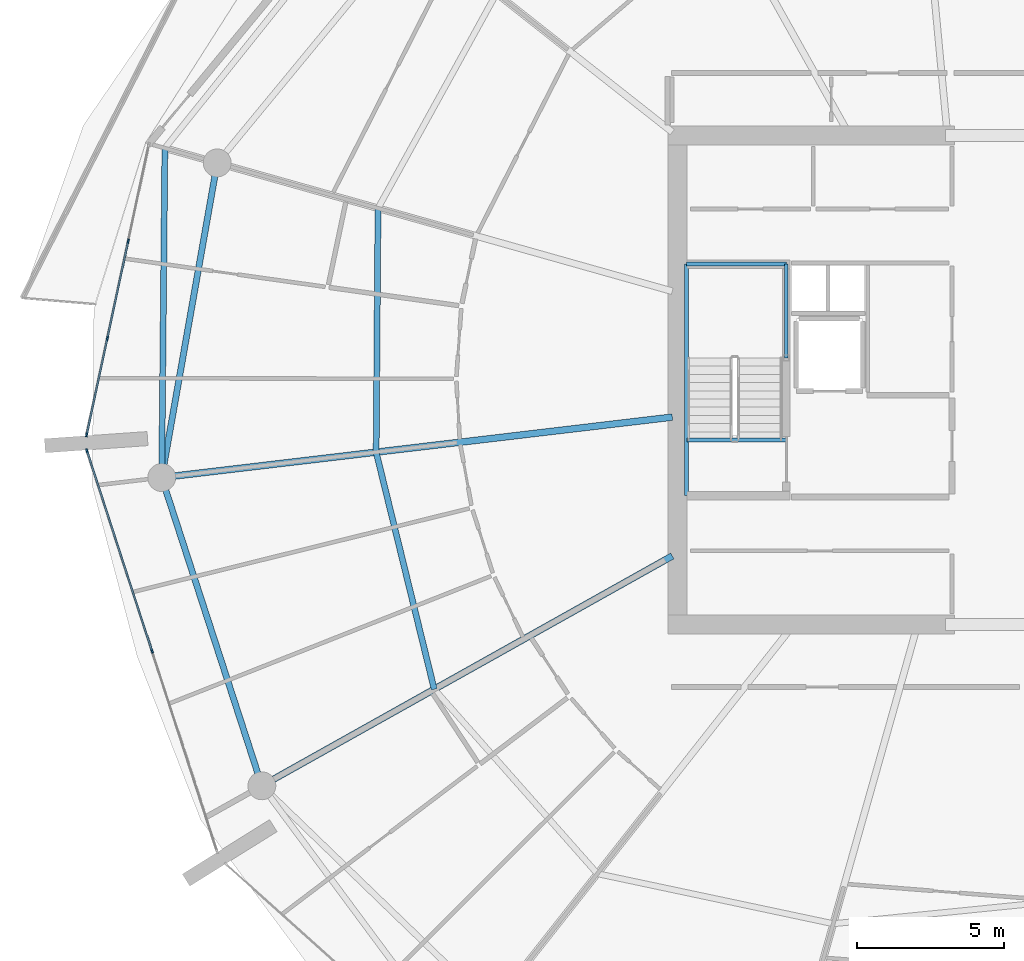
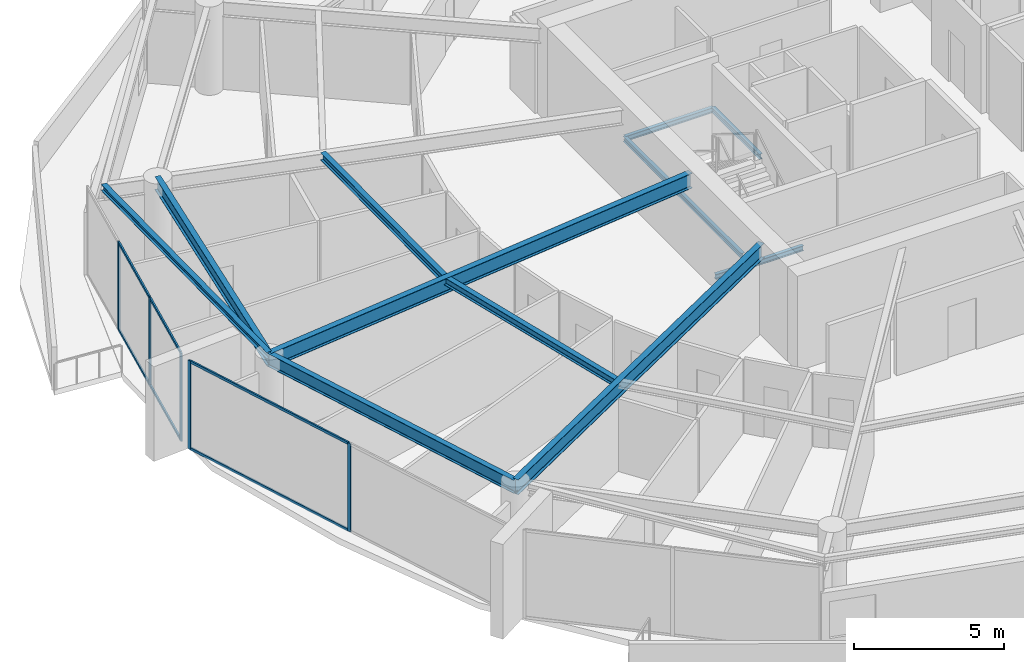
# One storey, part 7 of 30: 11 beams, 11 members, 2 elements without a shape of their own.
"""IFC4 building model written with IfcOpenShell, lengths in metres."""

from ifc_helpers import new_model, si_unit, direction, frame, origin, origin_2d, place, context, subcontext, project, spatial, rectangle, i_section, extrude, material, layer, layer_set, material_profile, profile_set, type_object, element, aggregate, save


model = new_model("IFC4")

# Units and contexts
model_context = context("Model", 3, precision=1e-05, world=origin(), true_north=direction((0.0, 1.0)))
body_context = subcontext(model_context, "Body", "Model", "MODEL_VIEW")
ifc_project = project(units=[si_unit("LENGTHUNIT", "METRE"), si_unit("AREAUNIT", "SQUARE_METRE"), si_unit("VOLUMEUNIT", "CUBIC_METRE"), si_unit("PLANEANGLEUNIT", "RADIAN"), si_unit("MASSUNIT", "GRAM", prefix="KILO")], contexts=[model_context])

# Site, building, storey
site_placement = place(None, origin())
site = spatial("IfcSite", under=ifc_project, at=site_placement, CompositionType="ELEMENT")
building_placement = place(site_placement, origin())
building = spatial("IfcBuilding", under=site, at=building_placement, Name="Kazma Halo Residences", CompositionType="ELEMENT")
storey_placement = place(building_placement, frame((0.0, 0.0, 255.949951171875)))
storey = spatial("IfcBuildingStorey", under=building, at=storey_placement, Name="L64", CompositionType="ELEMENT", Elevation=255.949951171875)

# Beams
ifc_material_1 = material(Name="Steel S355", Category="steel")
ifc_material_profile_1 = material_profile(ifc_material_1, i_section(OverallWidth=0.201904296875, OverallDepth=0.2470703125, WebThickness=0.00732421875, FlangeThickness=0.010986328125, FilletRadius=0.011962890625, at=origin_2d()), Name="W250x49.1")
ifc_profile_set_1 = profile_set([ifc_material_profile_1], Name="Steel S355")
beam_type_1 = type_object("IfcBeamType", Name="BM-BAL-CANT", PredefinedType="BEAM", material=ifc_profile_set_1)
beam_1_placement = place(storey_placement, frame((20.028564453125, 49.888916015625, 3.466552734375), z_axis=(-0.009645503464, -0.999953481049, 0.0), x_axis=(0.999953481049, -0.009645503464, 0.0)))
element("IfcBeam", 1, at=beam_1_placement, inside=storey, type_object=beam_type_1, Name="L64 wave-balcony tie beam 07", PredefinedType="BEAM", context=body_context, shape_type="SweptSolid", body=[
    extrude(i_section(OverallWidth=0.201904296875, OverallDepth=0.2470703125, WebThickness=0.00732421875, FlangeThickness=0.010986328125, FilletRadius=0.011962890625, at=origin_2d()), origin(), (0.0, 0.0, 1.0), 11.212890625),
])
ifc_material_profile_2 = material_profile(ifc_material_1, i_section(OverallWidth=0.22802734375, OverallDepth=0.60791015625, WebThickness=0.01123046875, FlangeThickness=0.017333984375, FilletRadius=0.01806640625, at=origin_2d()), Name="W610x113")
ifc_profile_set_2 = profile_set([ifc_material_profile_2], Name="Steel S355")
beam_type_2 = type_object("IfcBeamType", Name="BM-RAD-W610", PredefinedType="BEAM", material=ifc_profile_set_2)
beam_2_placement = place(storey_placement, frame((37.300048828125, 40.733642578125, 3.2861328125), z_axis=(-0.993067702517, -0.117543771495, 0.0), x_axis=(0.117543771495, -0.993067702517, 0.0)))
element("IfcBeam", 2, at=beam_2_placement, inside=storey, type_object=beam_type_2, Name="L64 radial floor beam 08", PredefinedType="BEAM", context=body_context, shape_type="SweptSolid", body=[
    extrude(i_section(OverallWidth=0.22802734375, OverallDepth=0.60791015625, WebThickness=0.01123046875, FlangeThickness=0.017333984375, FilletRadius=0.01806640625, at=origin_2d()), origin(), (0.0, 0.0, 1.0), 17.5009765625),
])
beam_3_placement = place(storey_placement, frame((37.300048828125, 36.0078125, 3.2861328125), z_axis=(-0.872498735757, -0.488616369049, 0.0), x_axis=(0.488616369049, -0.872498735757, 0.0)))
element("IfcBeam", 3, at=beam_3_placement, inside=storey, type_object=beam_type_2, Name="L64 radial floor beam 09", PredefinedType="BEAM", context=body_context, shape_type="SweptSolid", body=[
    extrude(i_section(OverallWidth=0.22802734375, OverallDepth=0.60791015625, WebThickness=0.01123046875, FlangeThickness=0.017333984375, FilletRadius=0.01806640625, at=origin_2d()), origin(), (0.0, 0.0, 1.0), 16.011962890625),
])
ifc_material_profile_3 = material_profile(ifc_material_1, i_section(OverallWidth=0.202880859375, OverallDepth=0.302978515625, WebThickness=0.007568359375, FlangeThickness=0.01318359375, FilletRadius=0.013916015625, at=origin_2d()), Name="W310x60")
ifc_profile_set_3 = profile_set([ifc_material_profile_3], Name="Steel S355")
beam_type_3 = type_object("IfcBeamType", Name="BM-SEC-W310A", PredefinedType="JOIST", material=ifc_profile_set_3)
beam_4_placement = place(storey_placement, frame((27.282470703125, 47.843017578125, 3.4384765625), z_axis=(-0.007527648623, -0.999971666852, 0.0), x_axis=(0.999971666852, -0.007527648623, 0.0)))
element("IfcBeam", 4, at=beam_4_placement, inside=storey, type_object=beam_type_3, Name="L64 circumferential floor joist 07", PredefinedType="JOIST", context=body_context, shape_type="SweptSolid", body=[
    extrude(i_section(OverallWidth=0.202880859375, OverallDepth=0.302978515625, WebThickness=0.007568359375, FlangeThickness=0.01318359375, FilletRadius=0.013916015625, at=origin_2d()), origin(), (0.0, 0.0, 1.0), 8.302734375),
])
beam_5_placement = place(storey_placement, frame((27.219970703125, 39.54052734375, 3.4384765625), z_axis=(0.237963200266, -0.971274171035, 0.0), x_axis=(0.971274171035, 0.237963200266, 0.0)))
element("IfcBeam", 5, at=beam_5_placement, inside=storey, type_object=beam_type_3, Name="L64 circumferential floor joist 08", PredefinedType="JOIST", context=body_context, shape_type="SweptSolid", body=[
    extrude(i_section(OverallWidth=0.202880859375, OverallDepth=0.302978515625, WebThickness=0.007568359375, FlangeThickness=0.01318359375, FilletRadius=0.013916015625, at=origin_2d()), origin(), (0.0, 0.0, 1.0), 8.309326171875),
])
ifc_material_profile_4 = material_profile(ifc_material_1, i_section(OverallWidth=0.208984375, OverallDepth=0.532958984375, WebThickness=0.01025390625, FlangeThickness=0.015625, FilletRadius=0.01611328125, at=origin_2d()), Name="W530x92")
ifc_profile_set_4 = profile_set([ifc_material_profile_4], Name="Steel S355")
beam_type_4 = type_object("IfcBeamType", Name="BM-SPN-W530", PredefinedType="BEAM", material=ifc_profile_set_4)
beam_6_placement = place(storey_placement, frame((21.80908203125, 49.38671875, 3.323486328125), z_axis=(-0.173663672311, -0.984805020763, 0.0), x_axis=(0.984805020763, -0.173663672311, 0.0)))
element("IfcBeam", 6, at=beam_6_placement, inside=storey, type_object=beam_type_4, Name="L64 perimeter ring beam 07", PredefinedType="BEAM", context=body_context, shape_type="SweptSolid", body=[
    extrude(i_section(OverallWidth=0.208984375, OverallDepth=0.532958984375, WebThickness=0.01025390625, FlangeThickness=0.015625, FilletRadius=0.01611328125, at=origin_2d()), origin(), (0.0, 0.0, 1.0), 10.87548828125),
])
beam_7_placement = place(storey_placement, frame((19.92041015625, 38.676513671875, 3.323486328125), z_axis=(0.309015517474, -0.951056996168, 0.0), x_axis=(0.951056996168, 0.309015517474, 0.0)))
element("IfcBeam", 7, at=beam_7_placement, inside=storey, type_object=beam_type_4, Name="L64 perimeter ring beam 08", PredefinedType="BEAM", context=body_context, shape_type="SweptSolid", body=[
    extrude(i_section(OverallWidth=0.208984375, OverallDepth=0.532958984375, WebThickness=0.01025390625, FlangeThickness=0.015625, FilletRadius=0.01611328125, at=origin_2d()), origin(), (0.0, 0.0, 1.0), 11.032470703125),
])
ifc_material_profile_5 = material_profile(ifc_material_1, i_section(OverallWidth=0.133056640625, OverallDepth=0.20703125, WebThickness=0.005859375, FlangeThickness=0.00830078125, FilletRadius=0.010009765625, at=origin_2d()), Name="W200x26.6")
ifc_profile_set_5 = profile_set([ifc_material_profile_5], Name="Steel S355")
beam_type_5 = type_object("IfcBeamType", Name="BM-TRIM-W200", PredefinedType="BEAM", material=ifc_profile_set_5)
beam_8_placement = place(storey_placement, frame((37.800048828125, 39.949951171875, -0.369873046875), z_axis=(1.0, 0.0, 0.0), x_axis=(0.0, 1.0, 0.0)))
element("IfcBeam", 8, at=beam_8_placement, inside=storey, type_object=beam_type_5, Name="L64 ST-01 floor landing support beam", PredefinedType="BEAM", context=body_context, shape_type="SweptSolid", body=[
    extrude(i_section(OverallWidth=0.133056640625, OverallDepth=0.20703125, WebThickness=0.005859375, FlangeThickness=0.00830078125, FilletRadius=0.010009765625, at=origin_2d()), origin(), (0.0, 0.0, 1.0), 3.3798828125),
])
beam_9_placement = place(storey_placement, frame((37.780029296875, 38.06005859375, 1.6201171875), z_axis=(0.0, 1.0, 0.0), x_axis=(-1.0, 0.0, 0.0)))
element("IfcBeam", 9, at=beam_9_placement, inside=storey, type_object=beam_type_5, Name="L64 ST-01 landing west wall ledger", PredefinedType="BEAM", context=body_context, shape_type="SweptSolid", body=[
    extrude(i_section(OverallWidth=0.133056640625, OverallDepth=0.20703125, WebThickness=0.005859375, FlangeThickness=0.00830078125, FilletRadius=0.010009765625, at=origin_2d()), origin(), (0.0, 0.0, 1.0), 7.8798828125),
])
beam_10_placement = place(storey_placement, frame((41.179931640625, 42.75, 1.6201171875), z_axis=(0.0, 1.0, 0.0), x_axis=(-1.0, 0.0, 0.0)))
element("IfcBeam", 10, at=beam_10_placement, inside=storey, type_object=beam_type_5, Name="L64 ST-01 landing east wall ledger", PredefinedType="BEAM", context=body_context, shape_type="SweptSolid", body=[
    extrude(i_section(OverallWidth=0.133056640625, OverallDepth=0.20703125, WebThickness=0.005859375, FlangeThickness=0.00830078125, FilletRadius=0.010009765625, at=origin_2d()), origin(), (0.0, 0.0, 1.0), 3.18994140625),
])
beam_11_placement = place(storey_placement, frame((37.780029296875, 45.93994140625, 1.6201171875), z_axis=(1.0, 0.0, 0.0), x_axis=(0.0, 1.0, 0.0)))
element("IfcBeam", 11, at=beam_11_placement, inside=storey, type_object=beam_type_5, Name="L64 ST-01 landing end wall ledger", PredefinedType="BEAM", context=body_context, shape_type="SweptSolid", body=[
    extrude(i_section(OverallWidth=0.133056640625, OverallDepth=0.20703125, WebThickness=0.005859375, FlangeThickness=0.00830078125, FilletRadius=0.010009765625, at=origin_2d()), origin(), (0.0, 0.0, 1.0), 3.39990234375),
])

# Curtain wall, members
ifc_material_2 = material(Name="Aluminium AW-6063 T6 and Triple-Silver Low-E Glass", Category="aluminium")
ifc_layer = layer(ifc_material_2, 0.139892578125)
ifc_layer_set = layer_set([ifc_layer], Name="Aluminium AW-6063 T6 and Triple-Silver Low-E Glass")
curtain_wall_type = type_object("IfcCurtainWallType", Name="CW-SYS-5", PredefinedType="NOTDEFINED", material=ifc_layer_set)
curtain_wall_1_placement = place(storey_placement, origin())
curtain_wall_1 = element("IfcCurtainWall", 12, at=curtain_wall_1_placement, inside=storey, type_object=curtain_wall_type, Name="L64 unitised curtain wall B07", PredefinedType="NOTDEFINED")
ifc_material_3 = material(Name="Aluminium AW-6063 T6", Category="aluminium")
ifc_material_profile_6 = material_profile(ifc_material_3, rectangle(XDim=0.06005859375, YDim=0.139892578125, at=origin_2d()), Name="CWM-60x140")
ifc_profile_set_6 = profile_set([ifc_material_profile_6], Name="Aluminium AW-6063 T6")
member_type_1 = type_object("IfcMemberType", Name="CW-SYS-5-MUL", PredefinedType="MULLION", material=ifc_profile_set_6)
member_1_placement = place(storey_placement, frame((18.781005859375, 46.7265625, 0.0), z_axis=(0.0, 0.0, 1.0), x_axis=(0.97777491373, -0.209657382603, 0.0)))
member_1 = element("IfcMember", 13, at=member_1_placement, type_object=member_type_1, Name="CWS-5 mullion 2", PredefinedType="MULLION", context=body_context, shape_type="SweptSolid", body=[
    extrude(rectangle(XDim=0.06005859375, YDim=0.139892578125, at=origin_2d()), origin(), (0.0, 0.0, 1.0), 3.590087890625),
])
member_2_placement = place(storey_placement, frame((18.0703125, 43.412841796875, 0.0), z_axis=(0.0, 0.0, 1.0), x_axis=(0.97777491373, -0.209657382603, 0.0)))
member_2 = element("IfcMember", 14, at=member_2_placement, type_object=member_type_1, Name="CWS-5 mullion 3", PredefinedType="MULLION", context=body_context, shape_type="SweptSolid", body=[
    extrude(rectangle(XDim=0.06005859375, YDim=0.139892578125, at=origin_2d()), origin(), (0.0, 0.0, 1.0), 3.590087890625),
])
member_3_placement = place(storey_placement, frame((17.3662109375, 40.12841796875, 0.0), z_axis=(0.0, 0.0, 1.0), x_axis=(0.97777491373, -0.209657382603, 0.0)))
member_3 = element("IfcMember", 15, at=member_3_placement, type_object=member_type_1, Name="CWS-5 mullion 4", PredefinedType="MULLION", context=body_context, shape_type="SweptSolid", body=[
    extrude(rectangle(XDim=0.06005859375, YDim=0.139892578125, at=origin_2d()), origin(), (0.0, 0.0, 1.0), 3.590087890625),
])

curtain_wall_2_placement = place(storey_placement, origin())
curtain_wall_2 = element("IfcCurtainWall", 16, at=curtain_wall_2_placement, inside=storey, type_object=curtain_wall_type, Name="L64 unitised curtain wall B08", PredefinedType="NOTDEFINED")
member_4_placement = place(storey_placement, frame((17.377197265625, 39.587646484375, 0.0), z_axis=(0.0, 0.0, 1.0), x_axis=(0.951058464359, 0.309010998786, 0.0)))
member_4 = element("IfcMember", 17, at=member_4_placement, type_object=member_type_1, Name="CWS-5 mullion 1", PredefinedType="MULLION", context=body_context, shape_type="SweptSolid", body=[
    extrude(rectangle(XDim=0.06005859375, YDim=0.139892578125, at=origin_2d()), origin(), (0.0, 0.0, 1.0), 3.590087890625),
])
member_5_placement = place(storey_placement, frame((19.59228515625, 32.769775390625, 0.0), z_axis=(0.0, 0.0, 1.0), x_axis=(0.951058464359, 0.309010998786, 0.0)))
member_5 = element("IfcMember", 18, at=member_5_placement, type_object=member_type_1, Name="CWS-5 mullion 2", PredefinedType="MULLION", context=body_context, shape_type="SweptSolid", body=[
    extrude(rectangle(XDim=0.06005859375, YDim=0.139892578125, at=origin_2d()), origin(), (0.0, 0.0, 1.0), 3.590087890625),
])

# Member
ifc_material_profile_7 = material_profile(ifc_material_3, rectangle(XDim=0.06005859375, YDim=0.10498046875, at=origin_2d()), Name="CWT-60x105")
ifc_profile_set_7 = profile_set([ifc_material_profile_7], Name="Aluminium AW-6063 T6")
member_type_2 = type_object("IfcMemberType", Name="CW-SYS-5-TRN", PredefinedType="USERDEFINED", material=ifc_profile_set_7)
member_6_placement = place(storey_placement, frame((18.774658203125, 46.697265625, 0.030029296875), z_axis=(-0.209664309019, -0.977773428522, 0.0), x_axis=(0.977773428522, -0.209664309019, 0.0)))
member_6 = element("IfcMember", 19, at=member_6_placement, type_object=member_type_2, Name="CWS-5 transom 2.1", ObjectType="TRANSOM", PredefinedType="USERDEFINED", context=body_context, shape_type="SweptSolid", body=[
    extrude(rectangle(XDim=0.06005859375, YDim=0.10498046875, at=origin_2d()), origin(), (0.0, 0.0, 1.0), 3.3291015625),
])

member_7_placement = place(storey_placement, frame((18.774658203125, 46.697265625, 3.56005859375), z_axis=(-0.209664309019, -0.977773428522, 0.0), x_axis=(0.977773428522, -0.209664309019, 0.0)))
member_7 = element("IfcMember", 20, at=member_7_placement, type_object=member_type_2, Name="CWS-5 transom 2.2", ObjectType="TRANSOM", PredefinedType="USERDEFINED", context=body_context, shape_type="SweptSolid", body=[
    extrude(rectangle(XDim=0.06005859375, YDim=0.10498046875, at=origin_2d()), origin(), (0.0, 0.0, 1.0), 3.3291015625),
])

member_8_placement = place(storey_placement, frame((18.064208984375, 43.383544921875, 0.030029296875), z_axis=(-0.209645323239, -0.977777499457, 0.0), x_axis=(0.977777499457, -0.209645323239, 0.0)))
member_8 = element("IfcMember", 21, at=member_8_placement, type_object=member_type_2, Name="CWS-5 transom 3.1", ObjectType="TRANSOM", PredefinedType="USERDEFINED", context=body_context, shape_type="SweptSolid", body=[
    extrude(rectangle(XDim=0.06005859375, YDim=0.10498046875, at=origin_2d()), origin(), (0.0, 0.0, 1.0), 3.299072265625),
])

member_9_placement = place(storey_placement, frame((18.064208984375, 43.383544921875, 3.56005859375), z_axis=(-0.209645323239, -0.977777499457, 0.0), x_axis=(0.977777499457, -0.209645323239, 0.0)))
member_9 = element("IfcMember", 22, at=member_9_placement, type_object=member_type_2, Name="CWS-5 transom 3.2", ObjectType="TRANSOM", PredefinedType="USERDEFINED", context=body_context, shape_type="SweptSolid", body=[
    extrude(rectangle(XDim=0.06005859375, YDim=0.10498046875, at=origin_2d()), origin(), (0.0, 0.0, 1.0), 3.299072265625),
])

aggregate(curtain_wall_1, [member_1, member_2, member_3, member_6, member_7, member_8, member_9])

member_10_placement = place(storey_placement, frame((17.386474609375, 39.55908203125, 0.030029296875), z_axis=(0.308995987448, -0.951063341603, 0.0), x_axis=(0.951063341603, 0.308995987448, 0.0)))
member_10 = element("IfcMember", 23, at=member_10_placement, type_object=member_type_2, Name="CWS-5 transom 1.1", ObjectType="TRANSOM", PredefinedType="USERDEFINED", context=body_context, shape_type="SweptSolid", body=[
    extrude(rectangle(XDim=0.06005859375, YDim=0.10498046875, at=origin_2d()), origin(), (0.0, 0.0, 1.0), 7.108642578125),
])

member_11_placement = place(storey_placement, frame((17.386474609375, 39.55908203125, 3.56005859375), z_axis=(0.308995987448, -0.951063341603, 0.0), x_axis=(0.951063341603, 0.308995987448, 0.0)))
member_11 = element("IfcMember", 24, at=member_11_placement, type_object=member_type_2, Name="CWS-5 transom 1.2", ObjectType="TRANSOM", PredefinedType="USERDEFINED", context=body_context, shape_type="SweptSolid", body=[
    extrude(rectangle(XDim=0.06005859375, YDim=0.10498046875, at=origin_2d()), origin(), (0.0, 0.0, 1.0), 7.108642578125),
])

aggregate(curtain_wall_2, [member_4, member_5, member_10, member_11])

save(model, "model.ifc")
